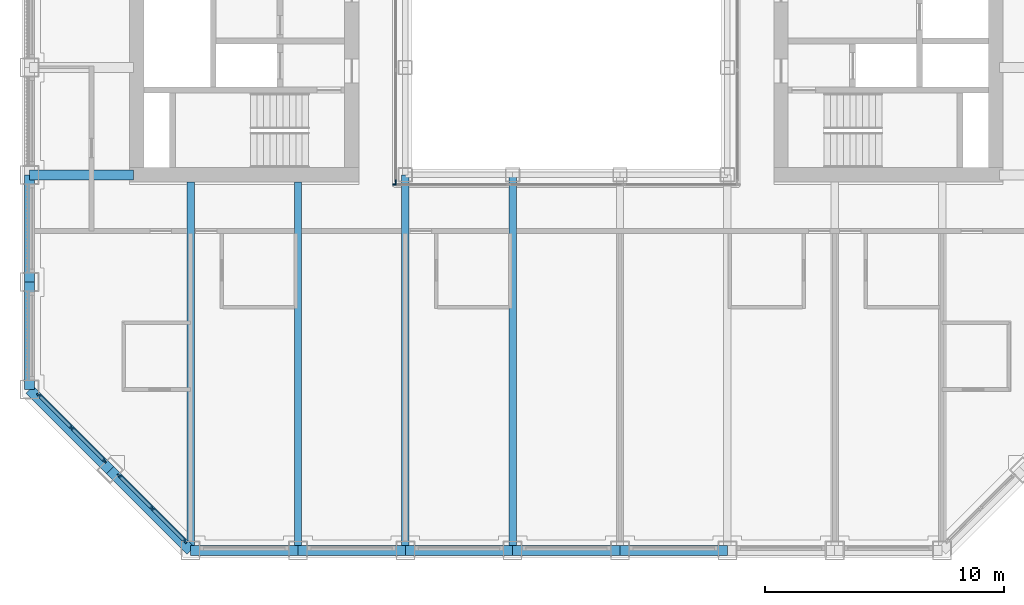
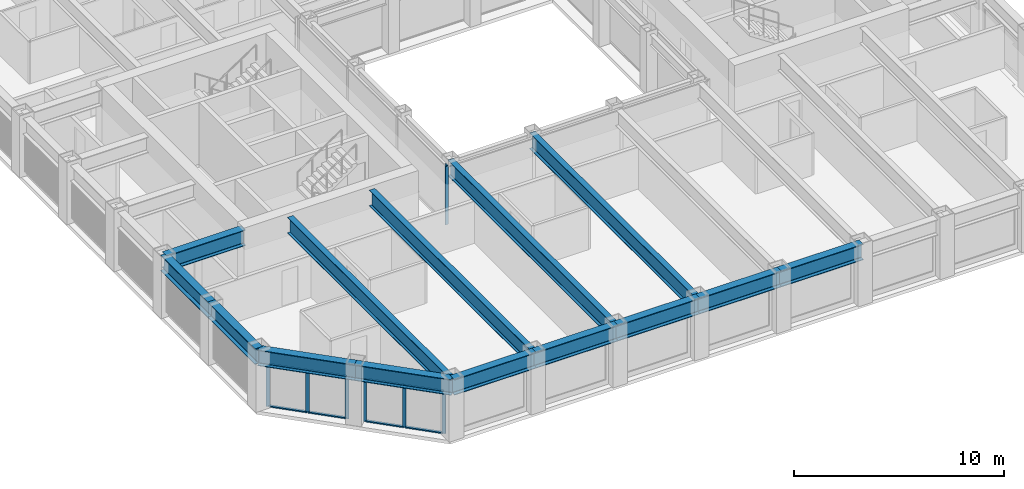
# One storey, part 2 of 17: 16 members, 14 beams, 4 elements without a shape of their own.
"""IFC4 building model written with IfcOpenShell, lengths in metres."""

from ifc_helpers import new_model, si_unit, direction, frame, origin, origin_2d, place, context, subcontext, project, spatial, rectangle, i_section, extrude, material, material_profile, profile_set, type_object, element, aggregate, save


model = new_model("IFC4")

# Units and contexts
model_context = context("Model", 3, precision=1e-05, world=origin(), true_north=direction((0.0, 1.0)))
body_context = subcontext(model_context, "Body", "Model", "MODEL_VIEW")
ifc_project = project(units=[si_unit("LENGTHUNIT", "METRE"), si_unit("AREAUNIT", "SQUARE_METRE"), si_unit("VOLUMEUNIT", "CUBIC_METRE"), si_unit("PLANEANGLEUNIT", "RADIAN"), si_unit("MASSUNIT", "GRAM", prefix="KILO")], contexts=[model_context])

# Site, building, storey
site_placement = place(None, origin())
site = spatial("IfcSite", under=ifc_project, at=site_placement, CompositionType="ELEMENT")
building_placement = place(site_placement, origin())
building = spatial("IfcBuilding", under=site, at=building_placement, Name="Msasa Ring Tower", CompositionType="ELEMENT")
storey_placement = place(building_placement, frame((0.0, 0.0, 172.39990234375)))
storey = spatial("IfcBuildingStorey", under=building, at=storey_placement, Name="L45", CompositionType="ELEMENT", Elevation=172.39990234375)

# Curtain wall, members
ifc_material_1 = material(Name="Aluminium curtain wall with clear glass", Category="aluminium")
curtain_wall_type_1 = type_object("IfcCurtainWallType", Name="CW-C CHAMFER CORNER CURTAIN WALL", PredefinedType="NOTDEFINED", material=ifc_material_1)
curtain_wall_1_placement = place(storey_placement, origin())
curtain_wall_1 = element("IfcCurtainWall", 1, at=curtain_wall_1_placement, inside=storey, type_object=curtain_wall_type_1, Name="Chamfer corner curtain wall SW L45", PredefinedType="NOTDEFINED")
ifc_material_2 = material(Name="Aluminium mullion", Category="aluminium")
ifc_material_profile_1 = material_profile(ifc_material_2, rectangle(XDim=0.06494140625, YDim=0.179931640625, at=origin_2d()), Name="AL 65x180")
ifc_profile_set_1 = profile_set([ifc_material_profile_1], Name="Aluminium mullion")
member_type_1 = type_object("IfcMemberType", Name="CW-C MULLION 65x180", PredefinedType="MULLION", material=ifc_profile_set_1)
member_1_placement = place(storey_placement, frame((-22.119873046875, -15.98876953125, 0.0), z_axis=(0.0, 0.0, 1.0), x_axis=(0.707106781187, 0.707106781187, 0.0)))
member_1 = element("IfcMember", 2, at=member_1_placement, type_object=member_type_1, Name="CW-C mullion 1", PredefinedType="MULLION", context=body_context, shape_type="SweptSolid", body=[
    extrude(rectangle(XDim=0.06494140625, YDim=0.179931640625, at=origin_2d()), origin(), (0.0, 0.0, 1.0), 2.47900390625),
])
member_2_placement = place(storey_placement, frame((-20.74169921875, -17.36669921875, 0.0), z_axis=(0.0, 0.0, 1.0), x_axis=(0.707106781187, 0.707106781187, 0.0)))
member_2 = element("IfcMember", 3, at=member_2_placement, type_object=member_type_1, Name="CW-C mullion 2", PredefinedType="MULLION", context=body_context, shape_type="SweptSolid", body=[
    extrude(rectangle(XDim=0.06494140625, YDim=0.179931640625, at=origin_2d()), origin(), (0.0, 0.0, 1.0), 2.47900390625),
])
member_3_placement = place(storey_placement, frame((-19.36376953125, -18.744873046875, 0.0), z_axis=(0.0, 0.0, 1.0), x_axis=(0.707106781187, 0.707106781187, 0.0)))
member_3 = element("IfcMember", 4, at=member_3_placement, type_object=member_type_1, Name="CW-C mullion 3", PredefinedType="MULLION", context=body_context, shape_type="SweptSolid", body=[
    extrude(rectangle(XDim=0.06494140625, YDim=0.179931640625, at=origin_2d()), origin(), (0.0, 0.0, 1.0), 2.47900390625),
])

curtain_wall_2_placement = place(storey_placement, origin())
curtain_wall_2 = element("IfcCurtainWall", 5, at=curtain_wall_2_placement, inside=storey, type_object=curtain_wall_type_1, Name="Chamfer corner curtain wall SW L45", PredefinedType="NOTDEFINED")
member_4_placement = place(storey_placement, frame((-18.744873046875, -19.36376953125, 0.0), z_axis=(0.0, 0.0, 1.0), x_axis=(0.707106781187, 0.707106781187, 0.0)))
member_4 = element("IfcMember", 6, at=member_4_placement, type_object=member_type_1, Name="CW-C mullion 1", PredefinedType="MULLION", context=body_context, shape_type="SweptSolid", body=[
    extrude(rectangle(XDim=0.06494140625, YDim=0.179931640625, at=origin_2d()), origin(), (0.0, 0.0, 1.0), 2.47900390625),
])
member_5_placement = place(storey_placement, frame((-17.36669921875, -20.74169921875, 0.0), z_axis=(0.0, 0.0, 1.0), x_axis=(0.707106781187, 0.707106781187, 0.0)))
member_5 = element("IfcMember", 7, at=member_5_placement, type_object=member_type_1, Name="CW-C mullion 2", PredefinedType="MULLION", context=body_context, shape_type="SweptSolid", body=[
    extrude(rectangle(XDim=0.06494140625, YDim=0.179931640625, at=origin_2d()), origin(), (0.0, 0.0, 1.0), 2.47900390625),
])
member_6_placement = place(storey_placement, frame((-15.98876953125, -22.119873046875, 0.0), z_axis=(0.0, 0.0, 1.0), x_axis=(0.707106781187, 0.707106781187, 0.0)))
member_6 = element("IfcMember", 8, at=member_6_placement, type_object=member_type_1, Name="CW-C mullion 3", PredefinedType="MULLION", context=body_context, shape_type="SweptSolid", body=[
    extrude(rectangle(XDim=0.06494140625, YDim=0.179931640625, at=origin_2d()), origin(), (0.0, 0.0, 1.0), 2.47900390625),
])

# Member
ifc_material_3 = material(Name="Aluminium transom", Category="aluminium")
ifc_material_profile_2 = material_profile(ifc_material_3, rectangle(XDim=0.139892578125, YDim=0.06494140625, at=origin_2d()), Name="AL 65x140")
ifc_profile_set_2 = profile_set([ifc_material_profile_2], Name="Aluminium transom")
member_type_2 = type_object("IfcMemberType", Name="CW-C TRANSOM 65x140", PredefinedType="USERDEFINED", material=ifc_profile_set_2)
member_7_placement = place(storey_placement, frame((-22.096923828125, -16.01171875, 0.03271484375), z_axis=(0.707106781187, -0.707106781187, 0.0), x_axis=(0.707106781187, 0.707106781187, 0.0)))
member_7 = element("IfcMember", 9, at=member_7_placement, type_object=member_type_2, Name="CW-C transom 1.1", ObjectType="TRANSOM", PredefinedType="USERDEFINED", context=body_context, shape_type="SweptSolid", body=[
    extrude(rectangle(XDim=0.139892578125, YDim=0.06494140625, at=origin_2d()), origin(), (0.0, 0.0, 1.0), 1.8837890625),
])

member_8_placement = place(storey_placement, frame((-22.096923828125, -16.01171875, 2.446533203125), z_axis=(0.707106781187, -0.707106781187, 0.0), x_axis=(0.707106781187, 0.707106781187, 0.0)))
member_8 = element("IfcMember", 10, at=member_8_placement, type_object=member_type_2, Name="CW-C transom 1.2", ObjectType="TRANSOM", PredefinedType="USERDEFINED", context=body_context, shape_type="SweptSolid", body=[
    extrude(rectangle(XDim=0.139892578125, YDim=0.06494140625, at=origin_2d()), origin(), (0.0, 0.0, 1.0), 1.8837890625),
])

member_9_placement = place(storey_placement, frame((-20.71875, -17.389892578125, 0.03271484375), z_axis=(0.707106781187, -0.707106781187, 0.0), x_axis=(0.707106781187, 0.707106781187, 0.0)))
member_9 = element("IfcMember", 11, at=member_9_placement, type_object=member_type_2, Name="CW-C transom 2.1", ObjectType="TRANSOM", PredefinedType="USERDEFINED", context=body_context, shape_type="SweptSolid", body=[
    extrude(rectangle(XDim=0.139892578125, YDim=0.06494140625, at=origin_2d()), origin(), (0.0, 0.0, 1.0), 1.8837890625),
])

member_10_placement = place(storey_placement, frame((-20.71875, -17.389892578125, 2.446533203125), z_axis=(0.707106781187, -0.707106781187, 0.0), x_axis=(0.707106781187, 0.707106781187, 0.0)))
member_10 = element("IfcMember", 12, at=member_10_placement, type_object=member_type_2, Name="CW-C transom 2.2", ObjectType="TRANSOM", PredefinedType="USERDEFINED", context=body_context, shape_type="SweptSolid", body=[
    extrude(rectangle(XDim=0.139892578125, YDim=0.06494140625, at=origin_2d()), origin(), (0.0, 0.0, 1.0), 1.8837890625),
])

aggregate(curtain_wall_1, [member_1, member_2, member_3, member_7, member_8, member_9, member_10])

member_11_placement = place(storey_placement, frame((-18.721923828125, -19.38671875, 0.03271484375), z_axis=(0.707106781187, -0.707106781187, 0.0), x_axis=(0.707106781187, 0.707106781187, 0.0)))
member_11 = element("IfcMember", 13, at=member_11_placement, type_object=member_type_2, Name="CW-C transom 1.1", ObjectType="TRANSOM", PredefinedType="USERDEFINED", context=body_context, shape_type="SweptSolid", body=[
    extrude(rectangle(XDim=0.139892578125, YDim=0.06494140625, at=origin_2d()), origin(), (0.0, 0.0, 1.0), 1.8837890625),
])

member_12_placement = place(storey_placement, frame((-18.721923828125, -19.38671875, 2.446533203125), z_axis=(0.707106781187, -0.707106781187, 0.0), x_axis=(0.707106781187, 0.707106781187, 0.0)))
member_12 = element("IfcMember", 14, at=member_12_placement, type_object=member_type_2, Name="CW-C transom 1.2", ObjectType="TRANSOM", PredefinedType="USERDEFINED", context=body_context, shape_type="SweptSolid", body=[
    extrude(rectangle(XDim=0.139892578125, YDim=0.06494140625, at=origin_2d()), origin(), (0.0, 0.0, 1.0), 1.8837890625),
])

member_13_placement = place(storey_placement, frame((-17.34375, -20.764892578125, 0.03271484375), z_axis=(0.707106781187, -0.707106781187, 0.0), x_axis=(0.707106781187, 0.707106781187, 0.0)))
member_13 = element("IfcMember", 15, at=member_13_placement, type_object=member_type_2, Name="CW-C transom 2.1", ObjectType="TRANSOM", PredefinedType="USERDEFINED", context=body_context, shape_type="SweptSolid", body=[
    extrude(rectangle(XDim=0.139892578125, YDim=0.06494140625, at=origin_2d()), origin(), (0.0, 0.0, 1.0), 1.8837890625),
])

member_14_placement = place(storey_placement, frame((-17.34375, -20.764892578125, 2.446533203125), z_axis=(0.707106781187, -0.707106781187, 0.0), x_axis=(0.707106781187, 0.707106781187, 0.0)))
member_14 = element("IfcMember", 16, at=member_14_placement, type_object=member_type_2, Name="CW-C transom 2.2", ObjectType="TRANSOM", PredefinedType="USERDEFINED", context=body_context, shape_type="SweptSolid", body=[
    extrude(rectangle(XDim=0.139892578125, YDim=0.06494140625, at=origin_2d()), origin(), (0.0, 0.0, 1.0), 1.8837890625),
])

aggregate(curtain_wall_2, [member_4, member_5, member_6, member_11, member_12, member_13, member_14])

# Curtain wall, member
ifc_material_4 = material(Name="Aluminium curtain wall with clear glass", Category="aluminium")
curtain_wall_type_2 = type_object("IfcCurtainWallType", Name="CW-W LIGHT WELL CURTAIN WALL", PredefinedType="NOTDEFINED", material=ifc_material_4)
curtain_wall_3_placement = place(storey_placement, origin())
curtain_wall_3 = element("IfcCurtainWall", 17, at=curtain_wall_3_placement, inside=storey, type_object=curtain_wall_type_2, Name="Light well curtain wall S L45", PredefinedType="NOTDEFINED")
ifc_material_5 = material(Name="Aluminium mullion", Category="aluminium")
ifc_material_profile_3 = material_profile(ifc_material_5, rectangle(XDim=0.06005859375, YDim=0.159912109375, at=origin_2d()), Name="AL 60x160")
ifc_profile_set_3 = profile_set([ifc_material_profile_3], Name="Aluminium mullion")
member_type_3 = type_object("IfcMemberType", Name="CW-W MULLION 60x160", PredefinedType="MULLION", material=ifc_profile_set_3)
member_15_placement = place(storey_placement, frame((-7.199951171875, -7.14990234375, 0.0), z_axis=(0.0, 0.0, 1.0), x_axis=(0.0, 1.0, 0.0)))
member_15 = element("IfcMember", 18, at=member_15_placement, type_object=member_type_3, Name="CW-W mullion 1", PredefinedType="MULLION", context=body_context, shape_type="SweptSolid", body=[
    extrude(rectangle(XDim=0.06005859375, YDim=0.159912109375, at=origin_2d()), origin(), (0.0, 0.0, 1.0), 3.400146484375),
])
aggregate(curtain_wall_3, [member_15])

curtain_wall_4_placement = place(storey_placement, origin())
curtain_wall_4 = element("IfcCurtainWall", 19, at=curtain_wall_4_placement, inside=storey, type_object=curtain_wall_type_2, Name="Light well curtain wall W L45", PredefinedType="NOTDEFINED")
member_16_placement = place(storey_placement, frame((-7.14990234375, -7.0400390625, 0.0), z_axis=(0.0, 0.0, 1.0), x_axis=(-1.0, 0.0, 0.0)))
member_16 = element("IfcMember", 20, at=member_16_placement, type_object=member_type_3, Name="CW-W mullion 1", PredefinedType="MULLION", context=body_context, shape_type="SweptSolid", body=[
    extrude(rectangle(XDim=0.06005859375, YDim=0.159912109375, at=origin_2d()), origin(), (0.0, 0.0, 1.0), 3.400146484375),
])
aggregate(curtain_wall_4, [member_16])

# Beams
ifc_material_6 = material(Name="Steel S355", Category="steel")
ifc_material_profile_4 = material_profile(ifc_material_6, i_section(OverallWidth=0.3076171875, OverallDepth=0.926513671875, WebThickness=0.01953125, FlangeThickness=0.031982421875, FilletRadius=0.01904296875, at=origin_2d()), Name="UB 914x305x289")
ifc_profile_set_4 = profile_set([ifc_material_profile_4], Name="Steel S355")
beam_type_1 = type_object("IfcBeamType", Name="FB3 UB 914x305x289", PredefinedType="BEAM", material=ifc_profile_set_4)
for number, where, z_axis, x_axis, name in (
    (21, (-15.75, -22.5, 2.936767578125), (0.0, 1.0, 0.0), (-1.0, 0.0, 0.0), "Floor beam S-15.75 under L46"),
    (22, (-11.25, -22.5, 2.936767578125), (0.0, 1.0, 0.0), (-1.0, 0.0, 0.0), "Floor beam S-11.25 under L46"),
):
    element("IfcBeam", number, at=place(storey_placement, frame(where, z_axis=z_axis, x_axis=x_axis)), inside=storey, type_object=beam_type_1, Name=name, PredefinedType="BEAM", context=body_context, shape_type="SweptSolid", body=[
        extrude(i_section(OverallWidth=0.3076171875, OverallDepth=0.926513671875, WebThickness=0.01953125, FlangeThickness=0.031982421875, FilletRadius=0.01904296875, at=origin_2d()), origin(), (0.0, 0.0, 1.0), 15.449951171875),
    ])
for number, where, z_axis, x_axis, name in (
    (23, (-6.75, -22.5, 2.936767578125), (0.0, 1.0, 0.0), (-1.0, 0.0, 0.0), "Floor beam S-6.75 under L46"),
    (24, (-2.25, -22.5, 2.936767578125), (0.0, 1.0, 0.0), (-1.0, 0.0, 0.0), "Floor beam S-2.25 under L46"),
):
    element("IfcBeam", number, at=place(storey_placement, frame(where, z_axis=z_axis, x_axis=x_axis)), inside=storey, type_object=beam_type_1, Name=name, PredefinedType="BEAM", context=body_context, shape_type="SweptSolid", body=[
        extrude(i_section(OverallWidth=0.3076171875, OverallDepth=0.926513671875, WebThickness=0.01953125, FlangeThickness=0.031982421875, FilletRadius=0.01904296875, at=origin_2d()), origin(), (0.0, 0.0, 1.0), 15.75),
    ])
ifc_material_7 = material(Name="Steel S355", Category="steel")
ifc_material_profile_5 = material_profile(ifc_material_7, i_section(OverallWidth=0.42041015625, OverallDepth=0.9208984375, WebThickness=0.021484375, FlangeThickness=0.03662109375, FilletRadius=0.024169921875, at=origin_2d()), Name="UB 914x419x388")
ifc_profile_set_5 = profile_set([ifc_material_profile_5], Name="Steel S355")
beam_type_2 = type_object("IfcBeamType", Name="GB1 UB 914x419x388", PredefinedType="BEAM", material=ifc_profile_set_5)
beam_placement = place(storey_placement, frame((-18.14990234375, -6.75, 2.939697265625), z_axis=(-1.0, 0.0, 0.0), x_axis=(0.0, -1.0, 0.0)))
element("IfcBeam", 25, at=beam_placement, inside=storey, type_object=beam_type_2, Name="Girder W -6.75 under L46", PredefinedType="BEAM", context=body_context, shape_type="SweptSolid", body=[
    extrude(i_section(OverallWidth=0.42041015625, OverallDepth=0.9208984375, WebThickness=0.021484375, FlangeThickness=0.03662109375, FilletRadius=0.024169921875, at=origin_2d()), origin(), (0.0, 0.0, 1.0), 4.35009765625),
])
ifc_material_8 = material(Name="Steel S355", Category="steel")
ifc_material_profile_6 = material_profile(ifc_material_8, i_section(OverallWidth=0.42041015625, OverallDepth=0.9208984375, WebThickness=0.021484375, FlangeThickness=0.03662109375, FilletRadius=0.024169921875, at=origin_2d()), Name="UB 914x419x388")
ifc_profile_set_6 = profile_set([ifc_material_profile_6], Name="Steel S355")
beam_type_3 = type_object("IfcBeamType", Name="SB1 UB 914x419x388", PredefinedType="SPANDREL", material=ifc_profile_set_6)
for number, where, z_axis, x_axis, name in (
    (26, (-22.5, -6.75, 2.939697265625), (0.0, -1.0, 0.0), (1.0, 0.0, 0.0), "Spandrel W-6.75 to W-11.25 under L46"),
    (27, (-22.5, -11.25, 2.939697265625), (0.0, -1.0, 0.0), (1.0, 0.0, 0.0), "Spandrel W-11.25 to W-15.75 under L46"),
):
    element("IfcBeam", number, at=place(storey_placement, frame(where, z_axis=z_axis, x_axis=x_axis)), inside=storey, type_object=beam_type_3, Name=name, PredefinedType="SPANDREL", context=body_context, shape_type="SweptSolid", body=[
        extrude(i_section(OverallWidth=0.42041015625, OverallDepth=0.9208984375, WebThickness=0.021484375, FlangeThickness=0.03662109375, FilletRadius=0.024169921875, at=origin_2d()), origin(), (0.0, 0.0, 1.0), 4.5),
    ])
for number, where, z_axis, x_axis, name in (
    (28, (-22.5, -15.75, 2.939697265625), (0.707106781187, -0.707106781187, 0.0), (0.707106781187, 0.707106781187, 0.0), "Spandrel W-15.75 to SW under L46"),
    (29, (-19.125, -19.125, 2.939697265625), (0.707106781187, -0.707106781187, 0.0), (0.707106781187, 0.707106781187, 0.0), "Spandrel SW to S-15.75 under L46"),
):
    element("IfcBeam", number, at=place(storey_placement, frame(where, z_axis=z_axis, x_axis=x_axis)), inside=storey, type_object=beam_type_3, Name=name, PredefinedType="SPANDREL", context=body_context, shape_type="SweptSolid", body=[
        extrude(i_section(OverallWidth=0.42041015625, OverallDepth=0.9208984375, WebThickness=0.021484375, FlangeThickness=0.03662109375, FilletRadius=0.024169921875, at=origin_2d()), origin(), (0.0, 0.0, 1.0), 4.77294921875),
    ])
for number, where, z_axis, x_axis, name in (
    (30, (-15.75, -22.5, 2.939697265625), (1.0, 0.0, 0.0), (0.0, 1.0, 0.0), "Spandrel S-15.75 to S-11.25 under L46"),
    (31, (-11.25, -22.5, 2.939697265625), (1.0, 0.0, 0.0), (0.0, 1.0, 0.0), "Spandrel S-11.25 to S-6.75 under L46"),
    (32, (-6.75, -22.5, 2.939697265625), (1.0, 0.0, 0.0), (0.0, 1.0, 0.0), "Spandrel S-6.75 to S-2.25 under L46"),
    (33, (-2.25, -22.5, 2.939697265625), (1.0, 0.0, 0.0), (0.0, 1.0, 0.0), "Spandrel S-2.25 to S+2.25 under L46"),
    (34, (2.25, -22.5, 2.939697265625), (1.0, 0.0, 0.0), (0.0, 1.0, 0.0), "Spandrel S+2.25 to S+6.75 under L46"),
):
    element("IfcBeam", number, at=place(storey_placement, frame(where, z_axis=z_axis, x_axis=x_axis)), inside=storey, type_object=beam_type_3, Name=name, PredefinedType="SPANDREL", context=body_context, shape_type="SweptSolid", body=[
        extrude(i_section(OverallWidth=0.42041015625, OverallDepth=0.9208984375, WebThickness=0.021484375, FlangeThickness=0.03662109375, FilletRadius=0.024169921875, at=origin_2d()), origin(), (0.0, 0.0, 1.0), 4.5),
    ])

save(model, "model.ifc")
